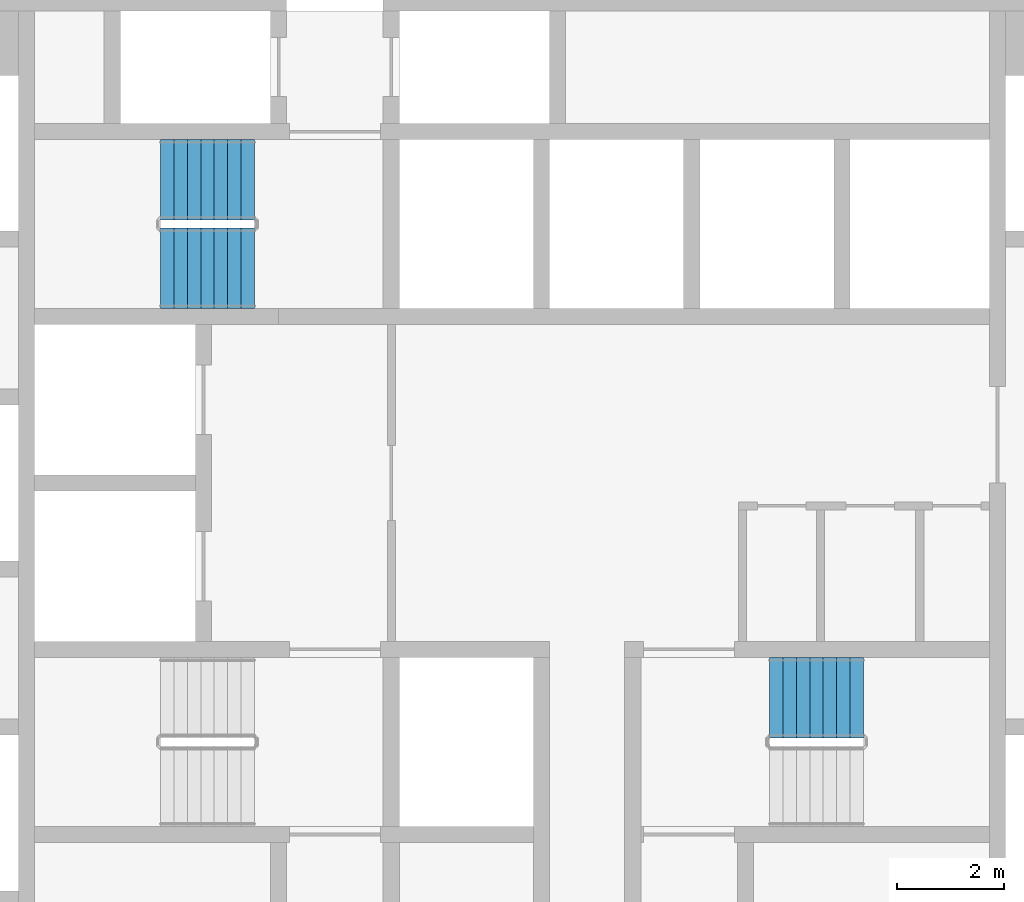
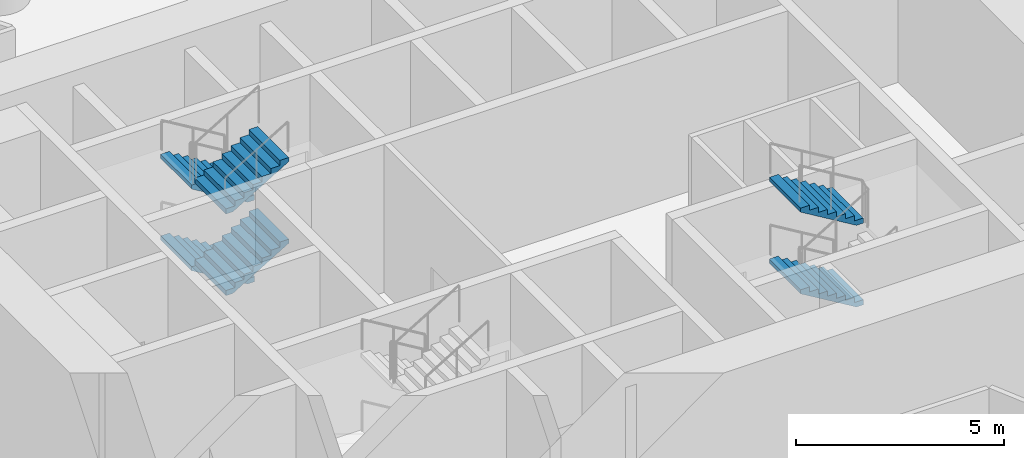
# One storey, part 10 of 11: 6 stair flights, 2 elements without a shape of their own.
"""IFC4 building model written with IfcOpenShell, lengths in metres."""

from ifc_helpers import new_model, si_unit, direction, frame, origin, place, context, subcontext, project, spatial, polyline, outline, extrude, material, type_object, element, aggregate, save


model = new_model("IFC4")

# Units and contexts
model_context = context("Model", 3, precision=1e-05, world=origin(), true_north=direction((0.0, 1.0)))
body_context = subcontext(model_context, "Body", "Model", "MODEL_VIEW")
ifc_project = project(units=[si_unit("LENGTHUNIT", "METRE"), si_unit("AREAUNIT", "SQUARE_METRE"), si_unit("VOLUMEUNIT", "CUBIC_METRE"), si_unit("PLANEANGLEUNIT", "RADIAN"), si_unit("MASSUNIT", "GRAM", prefix="KILO")], contexts=[model_context])

# Site, building, storey
site_placement = place(None, origin())
site = spatial("IfcSite", under=ifc_project, at=site_placement, CompositionType="ELEMENT")
building_placement = place(site_placement, origin())
building = spatial("IfcBuilding", under=site, at=building_placement, Name="Tracery Tower", CompositionType="ELEMENT")
storey_placement = place(building_placement, frame((0.0, 0.0, 18.60009765625)))
storey = spatial("IfcBuildingStorey", under=building, at=storey_placement, Name="L03", CompositionType="ELEMENT", Elevation=18.60009765625)

# Stair, stair flights
ifc_material_1 = material(Name="Concrete C32/40", Category="concrete")
stair_type = type_object("IfcStairType", Name="Core stair 32 risers", PredefinedType="HALF_TURN_STAIR", material=ifc_material_1)
stair_1_placement = place(storey_placement, origin())
stair_1 = element("IfcStair", 1, at=stair_1_placement, inside=storey, type_object=stair_type, Name="L03 stair ST3", PredefinedType="HALF_TURN_STAIR")
ifc_material_2 = material(Name="Concrete C32/40", Category="concrete")
stair_flight_type = type_object("IfcStairFlightType", Name="Core stair flight 8 risers", PredefinedType="STRAIGHT", material=ifc_material_2)
stair_flight_1_placement = place(storey_placement, frame((-4.800048828125, 5.64990234375, 0.0), z_axis=(0.0, 0.0, 1.0), x_axis=(-1.0, 0.0, 0.0)))
stair_flight_1 = element("IfcStairFlight", 2, at=stair_flight_1_placement, type_object=stair_flight_type, Name="ST3 flight 1", NumberOfRisers=8, NumberOfTreads=7, PredefinedType="STRAIGHT", RiserHeight=0.15, TreadLength=0.25, context=body_context, shape_type="SweptSolid", body=[
    extrude(outline(polyline([(0.0, 0.0), (0.0, 0.00244140625), (0.0, 0.0048828125), (0.0, 0.00732421875), (0.0, 0.009765625), (0.0, 0.01220703125), (0.0, 0.0146484375), (0.0, 0.017333984375), (0.0, 0.019775390625), (0.0, 0.022216796875), (0.0, 0.024658203125), (0.0, 0.027099609375), (0.0, 0.029541015625), (0.0, 0.031982421875), (0.0, 0.034423828125), (0.0, 0.036865234375), (0.0, 0.039306640625), (0.0, 0.041748046875), (0.0, 0.044189453125), (0.0, 0.046630859375), (0.0, 0.049072265625), (0.0, 0.0517578125), (0.0, 0.05419921875), (0.0, 0.056640625), (0.0, 0.05908203125), (0.0, 0.0615234375), (0.0, 0.06396484375), (0.0, 0.06640625), (0.0, 0.06884765625), (0.0, 0.0712890625), (0.0, 0.07373046875), (0.0, 0.076171875), (0.0, 0.07861328125), (0.0, 0.0810546875), (0.0, 0.08349609375), (0.0, 0.086181640625), (0.0, 0.088623046875), (0.0, 0.091064453125), (0.0, 0.093505859375), (0.0, 0.095947265625), (0.0, 0.098388671875), (0.0, 0.100830078125), (0.0, 0.103271484375), (0.0, 0.105712890625), (0.0, 0.108154296875), (0.0, 0.110595703125), (0.0, 0.113037109375), (0.0, 0.115478515625), (0.0, 0.117919921875), (0.0, 0.12060546875), (0.0, 0.123046875), (0.0, 0.12548828125), (0.0, 0.1279296875), (0.0, 0.13037109375), (0.0, 0.1328125), (0.0, 0.13525390625), (0.0, 0.1376953125), (0.0, 0.14013671875), (0.0, 0.142578125), (0.0, 0.14501953125), (0.0, 0.1474609375), (0.0, 0.14990234375), (0.25, 0.14990234375), (0.25, 0.300048828125), (0.5, 0.300048828125), (0.5, 0.449951171875), (0.75, 0.449951171875), (0.75, 0.60009765625), (1.0, 0.60009765625), (1.0, 0.75), (1.25, 0.75), (1.25, 0.89990234375), (1.5, 0.89990234375), (1.5, 1.050048828125), (1.75, 1.050048828125), (1.75, 1.048095703125), (1.75, 1.046142578125), (1.75, 1.044189453125), (1.75, 1.042236328125), (1.75, 1.04052734375), (1.75, 1.03857421875), (1.75, 1.03662109375), (1.75, 1.03466796875), (1.75, 1.03271484375), (1.75, 1.03076171875), (1.75, 1.029052734375), (1.75, 1.027099609375), (1.75, 1.025146484375), (1.75, 1.023193359375), (1.75, 1.021240234375), (1.75, 1.019287109375), (1.75, 1.017578125), (1.75, 1.015625), (1.75, 1.013671875), (1.75, 1.01171875), (1.75, 1.009765625), (1.75, 1.0078125), (1.75, 1.006103515625), (1.75, 1.004150390625), (1.75, 1.002197265625), (1.75, 1.000244140625), (1.75, 0.998291015625), (1.75, 0.996337890625), (1.75, 0.994384765625), (1.75, 0.99267578125), (1.75, 0.99072265625), (1.75, 0.98876953125), (1.75, 0.98681640625), (1.75, 0.98486328125), (1.75, 0.98291015625), (1.75, 0.981201171875), (1.75, 0.979248046875), (1.75, 0.977294921875), (1.75, 0.975341796875), (1.75, 0.973388671875), (1.75, 0.971435546875), (1.75, 0.9697265625), (1.75, 0.9677734375), (1.75, 0.9658203125), (1.75, 0.9638671875), (1.75, 0.9619140625), (1.75, 0.9599609375), (1.75, 0.958251953125), (1.75, 0.956298828125), (1.75, 0.954345703125), (1.75, 0.952392578125), (1.75, 0.950439453125), (1.75, 0.948486328125), (1.75, 0.94677734375), (1.75, 0.94482421875), (1.75, 0.94287109375), (1.75, 0.94091796875), (1.75, 0.93896484375), (1.75, 0.93701171875), (1.75, 0.935302734375), (1.75, 0.933349609375), (0.194580078125, 0.0), (0.0, 0.0)])), frame((0.0, 0.75, 0.0), z_axis=(0.0, -1.0, 0.0), x_axis=(1.0, 0.0, 0.0)), (0.0, 0.0, 1.0), 1.5),
])
stair_flight_2_placement = place(storey_placement, frame((-6.550048828125, 4.0, 1.199951171875), z_axis=(0.0, 0.0, 1.0), x_axis=(1.0, 0.0, 0.0)))
stair_flight_2 = element("IfcStairFlight", 3, at=stair_flight_2_placement, type_object=stair_flight_type, Name="ST3 flight 2", NumberOfRisers=8, NumberOfTreads=7, PredefinedType="STRAIGHT", RiserHeight=0.15, TreadLength=0.25, context=body_context, shape_type="SweptSolid", body=[
    extrude(outline(polyline([(0.0, 0.0), (0.0, 0.00244140625), (0.0, 0.0048828125), (0.0, 0.00732421875), (0.0, 0.009765625), (0.0, 0.01220703125), (0.0, 0.0146484375), (0.0, 0.017333984375), (0.0, 0.019775390625), (0.0, 0.022216796875), (0.0, 0.024658203125), (0.0, 0.027099609375), (0.0, 0.029541015625), (0.0, 0.031982421875), (0.0, 0.034423828125), (0.0, 0.036865234375), (0.0, 0.039306640625), (0.0, 0.041748046875), (0.0, 0.044189453125), (0.0, 0.046630859375), (0.0, 0.049072265625), (0.0, 0.0517578125), (0.0, 0.05419921875), (0.0, 0.056640625), (0.0, 0.05908203125), (0.0, 0.0615234375), (0.0, 0.06396484375), (0.0, 0.06640625), (0.0, 0.06884765625), (0.0, 0.0712890625), (0.0, 0.07373046875), (0.0, 0.076171875), (0.0, 0.07861328125), (0.0, 0.0810546875), (0.0, 0.08349609375), (0.0, 0.086181640625), (0.0, 0.088623046875), (0.0, 0.091064453125), (0.0, 0.093505859375), (0.0, 0.095947265625), (0.0, 0.098388671875), (0.0, 0.100830078125), (0.0, 0.103271484375), (0.0, 0.105712890625), (0.0, 0.108154296875), (0.0, 0.110595703125), (0.0, 0.113037109375), (0.0, 0.115478515625), (0.0, 0.117919921875), (0.0, 0.12060546875), (0.0, 0.123046875), (0.0, 0.12548828125), (0.0, 0.1279296875), (0.0, 0.13037109375), (0.0, 0.1328125), (0.0, 0.13525390625), (0.0, 0.1376953125), (0.0, 0.14013671875), (0.0, 0.142578125), (0.0, 0.14501953125), (0.0, 0.1474609375), (0.0, 0.14990234375), (0.25, 0.14990234375), (0.25, 0.300048828125), (0.5, 0.300048828125), (0.5, 0.449951171875), (0.75, 0.449951171875), (0.75, 0.60009765625), (1.0, 0.60009765625), (1.0, 0.75), (1.25, 0.75), (1.25, 0.89990234375), (1.5, 0.89990234375), (1.5, 1.050048828125), (1.75, 1.050048828125), (1.75, 1.048095703125), (1.75, 1.046142578125), (1.75, 1.044189453125), (1.75, 1.042236328125), (1.75, 1.04052734375), (1.75, 1.03857421875), (1.75, 1.03662109375), (1.75, 1.03466796875), (1.75, 1.03271484375), (1.75, 1.03076171875), (1.75, 1.029052734375), (1.75, 1.027099609375), (1.75, 1.025146484375), (1.75, 1.023193359375), (1.75, 1.021240234375), (1.75, 1.019287109375), (1.75, 1.017578125), (1.75, 1.015625), (1.75, 1.013671875), (1.75, 1.01171875), (1.75, 1.009765625), (1.75, 1.0078125), (1.75, 1.006103515625), (1.75, 1.004150390625), (1.75, 1.002197265625), (1.75, 1.000244140625), (1.75, 0.998291015625), (1.75, 0.996337890625), (1.75, 0.994384765625), (1.75, 0.99267578125), (1.75, 0.99072265625), (1.75, 0.98876953125), (1.75, 0.98681640625), (1.75, 0.98486328125), (1.75, 0.98291015625), (1.75, 0.981201171875), (1.75, 0.979248046875), (1.75, 0.977294921875), (1.75, 0.975341796875), (1.75, 0.973388671875), (1.75, 0.971435546875), (1.75, 0.9697265625), (1.75, 0.9677734375), (1.75, 0.9658203125), (1.75, 0.9638671875), (1.75, 0.9619140625), (1.75, 0.9599609375), (1.75, 0.958251953125), (1.75, 0.956298828125), (1.75, 0.954345703125), (1.75, 0.952392578125), (1.75, 0.950439453125), (1.75, 0.948486328125), (1.75, 0.94677734375), (1.75, 0.94482421875), (1.75, 0.94287109375), (1.75, 0.94091796875), (1.75, 0.93896484375), (1.75, 0.93701171875), (1.75, 0.935302734375), (1.75, 0.933349609375), (0.194580078125, 0.0), (0.0, 0.0)])), frame((0.0, 0.75, 0.0), z_axis=(0.0, -1.0, 0.0), x_axis=(1.0, 0.0, 0.0)), (0.0, 0.0, 1.0), 1.5),
])
stair_flight_3_placement = place(storey_placement, frame((-4.800048828125, 5.64990234375, 2.39990234375), z_axis=(0.0, 0.0, 1.0), x_axis=(-1.0, 0.0, 0.0)))
stair_flight_3 = element("IfcStairFlight", 4, at=stair_flight_3_placement, type_object=stair_flight_type, Name="ST3 flight 3", NumberOfRisers=8, NumberOfTreads=7, PredefinedType="STRAIGHT", RiserHeight=0.15, TreadLength=0.25, context=body_context, shape_type="SweptSolid", body=[
    extrude(outline(polyline([(0.0, 0.0), (0.0, 0.00244140625), (0.0, 0.0048828125), (0.0, 0.00732421875), (0.0, 0.009765625), (0.0, 0.01220703125), (0.0, 0.0146484375), (0.0, 0.017333984375), (0.0, 0.019775390625), (0.0, 0.022216796875), (0.0, 0.024658203125), (0.0, 0.027099609375), (0.0, 0.029541015625), (0.0, 0.031982421875), (0.0, 0.034423828125), (0.0, 0.036865234375), (0.0, 0.039306640625), (0.0, 0.041748046875), (0.0, 0.044189453125), (0.0, 0.046630859375), (0.0, 0.049072265625), (0.0, 0.0517578125), (0.0, 0.05419921875), (0.0, 0.056640625), (0.0, 0.05908203125), (0.0, 0.0615234375), (0.0, 0.06396484375), (0.0, 0.06640625), (0.0, 0.06884765625), (0.0, 0.0712890625), (0.0, 0.07373046875), (0.0, 0.076171875), (0.0, 0.07861328125), (0.0, 0.0810546875), (0.0, 0.08349609375), (0.0, 0.086181640625), (0.0, 0.088623046875), (0.0, 0.091064453125), (0.0, 0.093505859375), (0.0, 0.095947265625), (0.0, 0.098388671875), (0.0, 0.100830078125), (0.0, 0.103271484375), (0.0, 0.105712890625), (0.0, 0.108154296875), (0.0, 0.110595703125), (0.0, 0.113037109375), (0.0, 0.115478515625), (0.0, 0.117919921875), (0.0, 0.12060546875), (0.0, 0.123046875), (0.0, 0.12548828125), (0.0, 0.1279296875), (0.0, 0.13037109375), (0.0, 0.1328125), (0.0, 0.13525390625), (0.0, 0.1376953125), (0.0, 0.14013671875), (0.0, 0.142578125), (0.0, 0.14501953125), (0.0, 0.1474609375), (0.0, 0.14990234375), (0.25, 0.14990234375), (0.25, 0.300048828125), (0.5, 0.300048828125), (0.5, 0.449951171875), (0.75, 0.449951171875), (0.75, 0.60009765625), (1.0, 0.60009765625), (1.0, 0.75), (1.25, 0.75), (1.25, 0.89990234375), (1.5, 0.89990234375), (1.5, 1.050048828125), (1.75, 1.050048828125), (1.75, 1.048095703125), (1.75, 1.046142578125), (1.75, 1.044189453125), (1.75, 1.042236328125), (1.75, 1.04052734375), (1.75, 1.03857421875), (1.75, 1.03662109375), (1.75, 1.03466796875), (1.75, 1.03271484375), (1.75, 1.03076171875), (1.75, 1.029052734375), (1.75, 1.027099609375), (1.75, 1.025146484375), (1.75, 1.023193359375), (1.75, 1.021240234375), (1.75, 1.019287109375), (1.75, 1.017578125), (1.75, 1.015625), (1.75, 1.013671875), (1.75, 1.01171875), (1.75, 1.009765625), (1.75, 1.0078125), (1.75, 1.006103515625), (1.75, 1.004150390625), (1.75, 1.002197265625), (1.75, 1.000244140625), (1.75, 0.998291015625), (1.75, 0.996337890625), (1.75, 0.994384765625), (1.75, 0.99267578125), (1.75, 0.99072265625), (1.75, 0.98876953125), (1.75, 0.98681640625), (1.75, 0.98486328125), (1.75, 0.98291015625), (1.75, 0.981201171875), (1.75, 0.979248046875), (1.75, 0.977294921875), (1.75, 0.975341796875), (1.75, 0.973388671875), (1.75, 0.971435546875), (1.75, 0.9697265625), (1.75, 0.9677734375), (1.75, 0.9658203125), (1.75, 0.9638671875), (1.75, 0.9619140625), (1.75, 0.9599609375), (1.75, 0.958251953125), (1.75, 0.956298828125), (1.75, 0.954345703125), (1.75, 0.952392578125), (1.75, 0.950439453125), (1.75, 0.948486328125), (1.75, 0.94677734375), (1.75, 0.94482421875), (1.75, 0.94287109375), (1.75, 0.94091796875), (1.75, 0.93896484375), (1.75, 0.93701171875), (1.75, 0.935302734375), (1.75, 0.933349609375), (0.194580078125, 0.0), (0.0, 0.0)])), frame((0.0, 0.75, 0.0), z_axis=(0.0, -1.0, 0.0), x_axis=(1.0, 0.0, 0.0)), (0.0, 0.0, 1.0), 1.5),
])
stair_flight_4_placement = place(storey_placement, frame((-6.550048828125, 4.0, 3.599853515625), z_axis=(0.0, 0.0, 1.0), x_axis=(1.0, 0.0, 0.0)))
stair_flight_4 = element("IfcStairFlight", 5, at=stair_flight_4_placement, type_object=stair_flight_type, Name="ST3 flight 4", NumberOfRisers=8, NumberOfTreads=7, PredefinedType="STRAIGHT", RiserHeight=0.15, TreadLength=0.25, context=body_context, shape_type="SweptSolid", body=[
    extrude(outline(polyline([(0.0, 0.0), (0.0, 0.00244140625), (0.0, 0.0048828125), (0.0, 0.00732421875), (0.0, 0.009765625), (0.0, 0.01220703125), (0.0, 0.0146484375), (0.0, 0.017333984375), (0.0, 0.019775390625), (0.0, 0.022216796875), (0.0, 0.024658203125), (0.0, 0.027099609375), (0.0, 0.029541015625), (0.0, 0.031982421875), (0.0, 0.034423828125), (0.0, 0.036865234375), (0.0, 0.039306640625), (0.0, 0.041748046875), (0.0, 0.044189453125), (0.0, 0.046630859375), (0.0, 0.049072265625), (0.0, 0.0517578125), (0.0, 0.05419921875), (0.0, 0.056640625), (0.0, 0.05908203125), (0.0, 0.0615234375), (0.0, 0.06396484375), (0.0, 0.06640625), (0.0, 0.06884765625), (0.0, 0.0712890625), (0.0, 0.07373046875), (0.0, 0.076171875), (0.0, 0.07861328125), (0.0, 0.0810546875), (0.0, 0.08349609375), (0.0, 0.086181640625), (0.0, 0.088623046875), (0.0, 0.091064453125), (0.0, 0.093505859375), (0.0, 0.095947265625), (0.0, 0.098388671875), (0.0, 0.100830078125), (0.0, 0.103271484375), (0.0, 0.105712890625), (0.0, 0.108154296875), (0.0, 0.110595703125), (0.0, 0.113037109375), (0.0, 0.115478515625), (0.0, 0.117919921875), (0.0, 0.12060546875), (0.0, 0.123046875), (0.0, 0.12548828125), (0.0, 0.1279296875), (0.0, 0.13037109375), (0.0, 0.1328125), (0.0, 0.13525390625), (0.0, 0.1376953125), (0.0, 0.14013671875), (0.0, 0.142578125), (0.0, 0.14501953125), (0.0, 0.1474609375), (0.0, 0.14990234375), (0.25, 0.14990234375), (0.25, 0.300048828125), (0.5, 0.300048828125), (0.5, 0.449951171875), (0.75, 0.449951171875), (0.75, 0.60009765625), (1.0, 0.60009765625), (1.0, 0.75), (1.25, 0.75), (1.25, 0.89990234375), (1.5, 0.89990234375), (1.5, 1.050048828125), (1.75, 1.050048828125), (1.75, 1.048095703125), (1.75, 1.046142578125), (1.75, 1.044189453125), (1.75, 1.042236328125), (1.75, 1.04052734375), (1.75, 1.03857421875), (1.75, 1.03662109375), (1.75, 1.03466796875), (1.75, 1.03271484375), (1.75, 1.03076171875), (1.75, 1.029052734375), (1.75, 1.027099609375), (1.75, 1.025146484375), (1.75, 1.023193359375), (1.75, 1.021240234375), (1.75, 1.019287109375), (1.75, 1.017578125), (1.75, 1.015625), (1.75, 1.013671875), (1.75, 1.01171875), (1.75, 1.009765625), (1.75, 1.0078125), (1.75, 1.006103515625), (1.75, 1.004150390625), (1.75, 1.002197265625), (1.75, 1.000244140625), (1.75, 0.998291015625), (1.75, 0.996337890625), (1.75, 0.994384765625), (1.75, 0.99267578125), (1.75, 0.99072265625), (1.75, 0.98876953125), (1.75, 0.98681640625), (1.75, 0.98486328125), (1.75, 0.98291015625), (1.75, 0.981201171875), (1.75, 0.979248046875), (1.75, 0.977294921875), (1.75, 0.975341796875), (1.75, 0.973388671875), (1.75, 0.971435546875), (1.75, 0.9697265625), (1.75, 0.9677734375), (1.75, 0.9658203125), (1.75, 0.9638671875), (1.75, 0.9619140625), (1.75, 0.9599609375), (1.75, 0.958251953125), (1.75, 0.956298828125), (1.75, 0.954345703125), (1.75, 0.952392578125), (1.75, 0.950439453125), (1.75, 0.948486328125), (1.75, 0.94677734375), (1.75, 0.94482421875), (1.75, 0.94287109375), (1.75, 0.94091796875), (1.75, 0.93896484375), (1.75, 0.93701171875), (1.75, 0.935302734375), (1.75, 0.933349609375), (0.194580078125, 0.0), (0.0, 0.0)])), frame((0.0, 0.75, 0.0), z_axis=(0.0, -1.0, 0.0), x_axis=(1.0, 0.0, 0.0)), (0.0, 0.0, 1.0), 1.5),
])
aggregate(stair_1, [stair_flight_1, stair_flight_2, stair_flight_3, stair_flight_4])

stair_2_placement = place(storey_placement, origin())
stair_2 = element("IfcStair", 6, at=stair_2_placement, inside=storey, type_object=stair_type, Name="L03 stair ST2", PredefinedType="HALF_TURN_STAIR")
stair_flight_5_placement = place(storey_placement, frame((6.550048828125, -4.0, 1.199951171875), z_axis=(0.0, 0.0, 1.0), x_axis=(-1.0, 0.0, 0.0)))
stair_flight_5 = element("IfcStairFlight", 7, at=stair_flight_5_placement, type_object=stair_flight_type, Name="ST2 flight 2", NumberOfRisers=8, NumberOfTreads=7, PredefinedType="STRAIGHT", RiserHeight=0.15, TreadLength=0.25, context=body_context, shape_type="SweptSolid", body=[
    extrude(outline(polyline([(0.0, 0.0), (0.0, 0.00244140625), (0.0, 0.0048828125), (0.0, 0.00732421875), (0.0, 0.009765625), (0.0, 0.01220703125), (0.0, 0.0146484375), (0.0, 0.017333984375), (0.0, 0.019775390625), (0.0, 0.022216796875), (0.0, 0.024658203125), (0.0, 0.027099609375), (0.0, 0.029541015625), (0.0, 0.031982421875), (0.0, 0.034423828125), (0.0, 0.036865234375), (0.0, 0.039306640625), (0.0, 0.041748046875), (0.0, 0.044189453125), (0.0, 0.046630859375), (0.0, 0.049072265625), (0.0, 0.0517578125), (0.0, 0.05419921875), (0.0, 0.056640625), (0.0, 0.05908203125), (0.0, 0.0615234375), (0.0, 0.06396484375), (0.0, 0.06640625), (0.0, 0.06884765625), (0.0, 0.0712890625), (0.0, 0.07373046875), (0.0, 0.076171875), (0.0, 0.07861328125), (0.0, 0.0810546875), (0.0, 0.08349609375), (0.0, 0.086181640625), (0.0, 0.088623046875), (0.0, 0.091064453125), (0.0, 0.093505859375), (0.0, 0.095947265625), (0.0, 0.098388671875), (0.0, 0.100830078125), (0.0, 0.103271484375), (0.0, 0.105712890625), (0.0, 0.108154296875), (0.0, 0.110595703125), (0.0, 0.113037109375), (0.0, 0.115478515625), (0.0, 0.117919921875), (0.0, 0.12060546875), (0.0, 0.123046875), (0.0, 0.12548828125), (0.0, 0.1279296875), (0.0, 0.13037109375), (0.0, 0.1328125), (0.0, 0.13525390625), (0.0, 0.1376953125), (0.0, 0.14013671875), (0.0, 0.142578125), (0.0, 0.14501953125), (0.0, 0.1474609375), (0.0, 0.14990234375), (0.25, 0.14990234375), (0.25, 0.300048828125), (0.5, 0.300048828125), (0.5, 0.449951171875), (0.75, 0.449951171875), (0.75, 0.60009765625), (1.0, 0.60009765625), (1.0, 0.75), (1.25, 0.75), (1.25, 0.89990234375), (1.5, 0.89990234375), (1.5, 1.050048828125), (1.75, 1.050048828125), (1.75, 1.048095703125), (1.75, 1.046142578125), (1.75, 1.044189453125), (1.75, 1.042236328125), (1.75, 1.04052734375), (1.75, 1.03857421875), (1.75, 1.03662109375), (1.75, 1.03466796875), (1.75, 1.03271484375), (1.75, 1.03076171875), (1.75, 1.029052734375), (1.75, 1.027099609375), (1.75, 1.025146484375), (1.75, 1.023193359375), (1.75, 1.021240234375), (1.75, 1.019287109375), (1.75, 1.017578125), (1.75, 1.015625), (1.75, 1.013671875), (1.75, 1.01171875), (1.75, 1.009765625), (1.75, 1.0078125), (1.75, 1.006103515625), (1.75, 1.004150390625), (1.75, 1.002197265625), (1.75, 1.000244140625), (1.75, 0.998291015625), (1.75, 0.996337890625), (1.75, 0.994384765625), (1.75, 0.99267578125), (1.75, 0.99072265625), (1.75, 0.98876953125), (1.75, 0.98681640625), (1.75, 0.98486328125), (1.75, 0.98291015625), (1.75, 0.981201171875), (1.75, 0.979248046875), (1.75, 0.977294921875), (1.75, 0.975341796875), (1.75, 0.973388671875), (1.75, 0.971435546875), (1.75, 0.9697265625), (1.75, 0.9677734375), (1.75, 0.9658203125), (1.75, 0.9638671875), (1.75, 0.9619140625), (1.75, 0.9599609375), (1.75, 0.958251953125), (1.75, 0.956298828125), (1.75, 0.954345703125), (1.75, 0.952392578125), (1.75, 0.950439453125), (1.75, 0.948486328125), (1.75, 0.94677734375), (1.75, 0.94482421875), (1.75, 0.94287109375), (1.75, 0.94091796875), (1.75, 0.93896484375), (1.75, 0.93701171875), (1.75, 0.935302734375), (1.75, 0.933349609375), (0.194580078125, 0.0), (0.0, 0.0)])), frame((0.0, 0.75, 0.0), z_axis=(0.0, -1.0, 0.0), x_axis=(1.0, 0.0, 0.0)), (0.0, 0.0, 1.0), 1.5),
])
stair_flight_6_placement = place(storey_placement, frame((6.550048828125, -4.0, 3.599853515625), z_axis=(0.0, 0.0, 1.0), x_axis=(-1.0, 0.0, 0.0)))
stair_flight_6 = element("IfcStairFlight", 8, at=stair_flight_6_placement, type_object=stair_flight_type, Name="ST2 flight 4", NumberOfRisers=8, NumberOfTreads=7, PredefinedType="STRAIGHT", RiserHeight=0.15, TreadLength=0.25, context=body_context, shape_type="SweptSolid", body=[
    extrude(outline(polyline([(0.0, 0.0), (0.0, 0.00244140625), (0.0, 0.0048828125), (0.0, 0.00732421875), (0.0, 0.009765625), (0.0, 0.01220703125), (0.0, 0.0146484375), (0.0, 0.017333984375), (0.0, 0.019775390625), (0.0, 0.022216796875), (0.0, 0.024658203125), (0.0, 0.027099609375), (0.0, 0.029541015625), (0.0, 0.031982421875), (0.0, 0.034423828125), (0.0, 0.036865234375), (0.0, 0.039306640625), (0.0, 0.041748046875), (0.0, 0.044189453125), (0.0, 0.046630859375), (0.0, 0.049072265625), (0.0, 0.0517578125), (0.0, 0.05419921875), (0.0, 0.056640625), (0.0, 0.05908203125), (0.0, 0.0615234375), (0.0, 0.06396484375), (0.0, 0.06640625), (0.0, 0.06884765625), (0.0, 0.0712890625), (0.0, 0.07373046875), (0.0, 0.076171875), (0.0, 0.07861328125), (0.0, 0.0810546875), (0.0, 0.08349609375), (0.0, 0.086181640625), (0.0, 0.088623046875), (0.0, 0.091064453125), (0.0, 0.093505859375), (0.0, 0.095947265625), (0.0, 0.098388671875), (0.0, 0.100830078125), (0.0, 0.103271484375), (0.0, 0.105712890625), (0.0, 0.108154296875), (0.0, 0.110595703125), (0.0, 0.113037109375), (0.0, 0.115478515625), (0.0, 0.117919921875), (0.0, 0.12060546875), (0.0, 0.123046875), (0.0, 0.12548828125), (0.0, 0.1279296875), (0.0, 0.13037109375), (0.0, 0.1328125), (0.0, 0.13525390625), (0.0, 0.1376953125), (0.0, 0.14013671875), (0.0, 0.142578125), (0.0, 0.14501953125), (0.0, 0.1474609375), (0.0, 0.14990234375), (0.25, 0.14990234375), (0.25, 0.300048828125), (0.5, 0.300048828125), (0.5, 0.449951171875), (0.75, 0.449951171875), (0.75, 0.60009765625), (1.0, 0.60009765625), (1.0, 0.75), (1.25, 0.75), (1.25, 0.89990234375), (1.5, 0.89990234375), (1.5, 1.050048828125), (1.75, 1.050048828125), (1.75, 1.048095703125), (1.75, 1.046142578125), (1.75, 1.044189453125), (1.75, 1.042236328125), (1.75, 1.04052734375), (1.75, 1.03857421875), (1.75, 1.03662109375), (1.75, 1.03466796875), (1.75, 1.03271484375), (1.75, 1.03076171875), (1.75, 1.029052734375), (1.75, 1.027099609375), (1.75, 1.025146484375), (1.75, 1.023193359375), (1.75, 1.021240234375), (1.75, 1.019287109375), (1.75, 1.017578125), (1.75, 1.015625), (1.75, 1.013671875), (1.75, 1.01171875), (1.75, 1.009765625), (1.75, 1.0078125), (1.75, 1.006103515625), (1.75, 1.004150390625), (1.75, 1.002197265625), (1.75, 1.000244140625), (1.75, 0.998291015625), (1.75, 0.996337890625), (1.75, 0.994384765625), (1.75, 0.99267578125), (1.75, 0.99072265625), (1.75, 0.98876953125), (1.75, 0.98681640625), (1.75, 0.98486328125), (1.75, 0.98291015625), (1.75, 0.981201171875), (1.75, 0.979248046875), (1.75, 0.977294921875), (1.75, 0.975341796875), (1.75, 0.973388671875), (1.75, 0.971435546875), (1.75, 0.9697265625), (1.75, 0.9677734375), (1.75, 0.9658203125), (1.75, 0.9638671875), (1.75, 0.9619140625), (1.75, 0.9599609375), (1.75, 0.958251953125), (1.75, 0.956298828125), (1.75, 0.954345703125), (1.75, 0.952392578125), (1.75, 0.950439453125), (1.75, 0.948486328125), (1.75, 0.94677734375), (1.75, 0.94482421875), (1.75, 0.94287109375), (1.75, 0.94091796875), (1.75, 0.93896484375), (1.75, 0.93701171875), (1.75, 0.935302734375), (1.75, 0.933349609375), (0.194580078125, 0.0), (0.0, 0.0)])), frame((0.0, 0.75, 0.0), z_axis=(0.0, -1.0, 0.0), x_axis=(1.0, 0.0, 0.0)), (0.0, 0.0, 1.0), 1.5),
])
aggregate(stair_2, [stair_flight_5, stair_flight_6])

save(model, "model.ifc")
